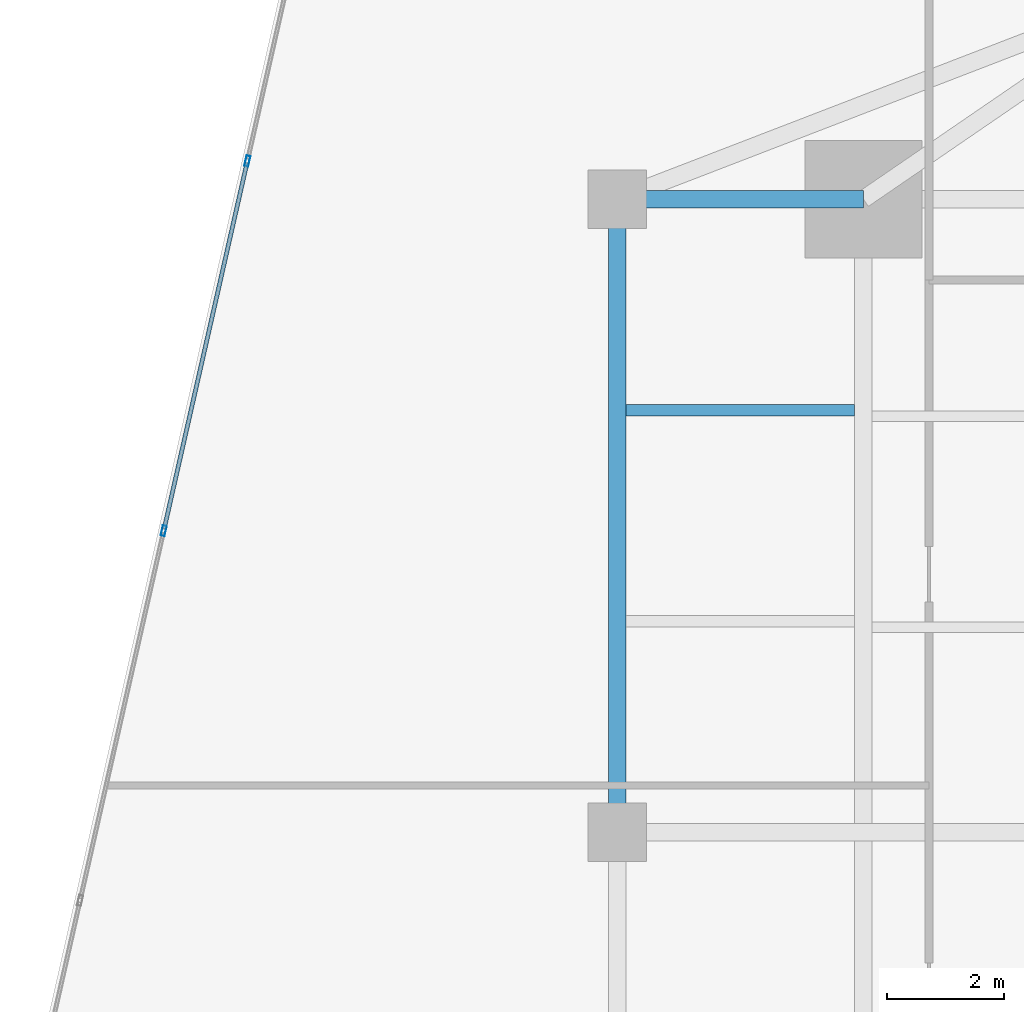
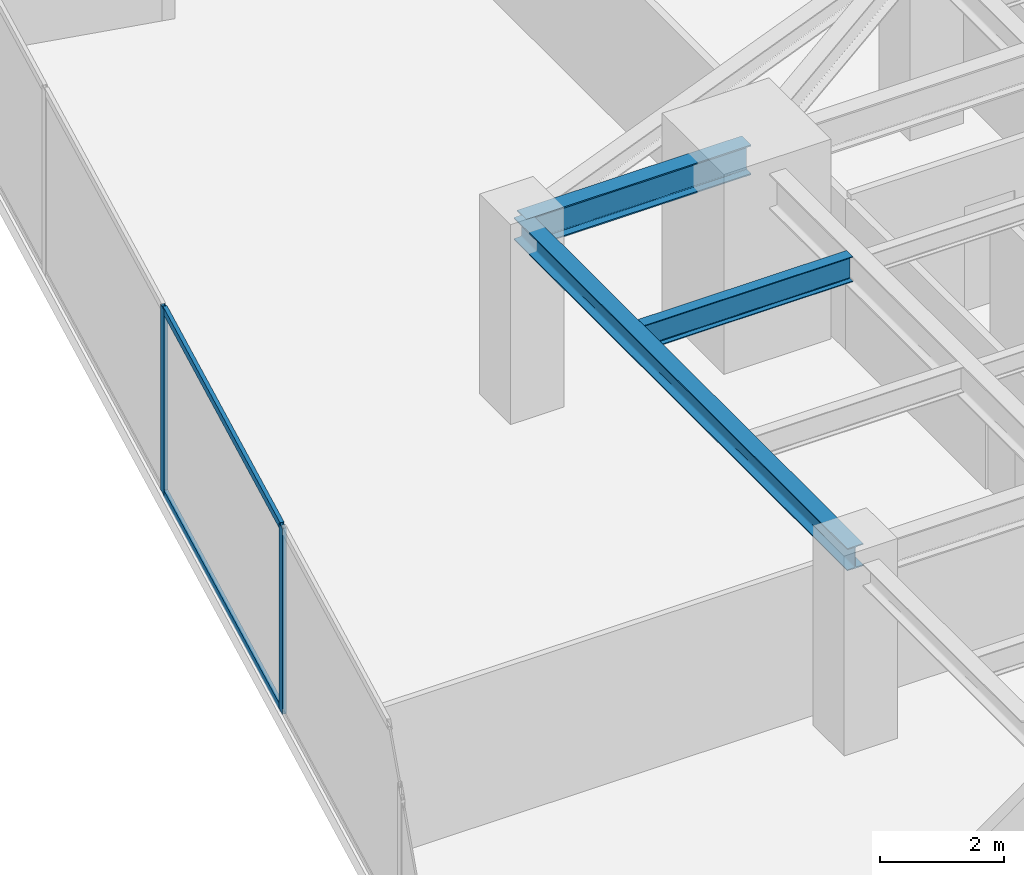
# One storey, part 14 of 26: 4 members, 3 beams, 1 element without a shape of its own.
"""IFC4 building model written with IfcOpenShell, lengths in metres."""

from ifc_helpers import new_model, si_unit, direction, frame, origin, origin_2d, place, context, subcontext, project, spatial, hollow_rectangle, i_section, extrude, source, transform, mapped, material, material_profile, profile_set, type_object, type_shapes, element, aggregate, save


model = new_model("IFC4")

# Units and contexts
model_context = context("Model", 3, precision=1e-05, world=origin(), true_north=direction((0.0, 1.0)))
body_context = subcontext(model_context, "Body", "Model", "MODEL_VIEW")
ifc_project = project(units=[si_unit("LENGTHUNIT", "METRE"), si_unit("AREAUNIT", "SQUARE_METRE"), si_unit("VOLUMEUNIT", "CUBIC_METRE"), si_unit("PLANEANGLEUNIT", "RADIAN"), si_unit("MASSUNIT", "GRAM", prefix="KILO")], contexts=[model_context])

# Site, building, storey
site_placement = place(None, origin())
site = spatial("IfcSite", under=ifc_project, at=site_placement, CompositionType="ELEMENT")
building_placement = place(site_placement, origin())
building = spatial("IfcBuilding", under=site, at=building_placement, Name="Krantzveldt Concourse Tower", CompositionType="ELEMENT")
storey_placement = place(building_placement, frame((0.0, 0.0, 94.0)))
storey = spatial("IfcBuildingStorey", under=building, at=storey_placement, Name="L22", CompositionType="ELEMENT", Elevation=94.0)

# Beams
ifc_material_1 = material(Name="Steel S355JR", Category="steel")
ifc_material_profile_1 = material_profile(ifc_material_1, i_section(OverallWidth=0.300048828125, OverallDepth=0.43994140625, WebThickness=0.011474609375, FlangeThickness=0.02099609375, FilletRadius=0.027099609375, at=origin_2d()), Name="Steel S355JR", Category="steel")
ifc_profile_set_1 = profile_set([ifc_material_profile_1], Name="Steel S355JR - HEA 450")
beam_type_1 = type_object("IfcBeamType", Name="BM-SP-HEA450", PredefinedType="SPANDREL", material=ifc_profile_set_1)
shared_shape_1 = source(origin(), body_context, "Body", "SweptSolid", [
    extrude(i_section(OverallWidth=0.300048828125, OverallDepth=0.43994140625, WebThickness=0.011474609375, FlangeThickness=0.02099609375, FilletRadius=0.027099609375, at=origin_2d()), origin(), (0.0, 0.0, 1.0), 10.800048828125),
])
type_shapes(beam_type_1, [shared_shape_1])
beam_1_placement = place(storey_placement, frame((21.0, 26.699951171875, 3.449951171875), z_axis=(0.0, 1.0, 0.0), x_axis=(-1.0, 0.0, 0.0)))
element("IfcBeam", 1, at=beam_1_placement, inside=storey, type_object=beam_type_1, Name="L22 Tower Girder SP-R02", PredefinedType="SPANDREL", context=body_context, shape_type="MappedRepresentation", body=[
    mapped(shared_shape_1, transform((0.0, 0.0, 0.0), x_axis=(1.0, 0.0, 0.0), y_axis=(0.0, 1.0, 0.0), z_axis=(0.0, 0.0, 1.0), scale=1.0)),
])
ifc_material_profile_2 = material_profile(ifc_material_1, i_section(OverallWidth=0.300048828125, OverallDepth=0.590087890625, WebThickness=0.012939453125, FlangeThickness=0.02490234375, FilletRadius=0.027099609375, at=origin_2d()), Name="Steel S355JR", Category="steel")
ifc_profile_set_2 = profile_set([ifc_material_profile_2], Name="Steel S355JR - HEA 600")
beam_type_2 = type_object("IfcBeamType", Name="BM-B-HEA600", PredefinedType="BEAM", material=ifc_profile_set_2)
shared_shape_2 = source(origin(), body_context, "Body", "SweptSolid", [
    extrude(i_section(OverallWidth=0.300048828125, OverallDepth=0.590087890625, WebThickness=0.012939453125, FlangeThickness=0.02490234375, FilletRadius=0.027099609375, at=origin_2d()), origin(), (0.0, 0.0, 1.0), 4.199951171875),
])
type_shapes(beam_type_2, [shared_shape_2])
beam_2_placement = place(storey_placement, frame((21.0, 37.5, 3.375), z_axis=(1.0, 0.0, 0.0), x_axis=(0.0, 1.0, 0.0)))
element("IfcBeam", 2, at=beam_2_placement, inside=storey, type_object=beam_type_2, Name="L22 Tower Girder BR-RL3", PredefinedType="BEAM", context=body_context, shape_type="MappedRepresentation", body=[
    mapped(shared_shape_2, transform((0.0, 0.0, 0.0), x_axis=(1.0, 0.0, 0.0), y_axis=(0.0, 1.0, 0.0), z_axis=(0.0, 0.0, 1.0), scale=1.0)),
])
ifc_material_profile_3 = material_profile(ifc_material_1, i_section(OverallWidth=0.199951171875, OverallDepth=0.5, WebThickness=0.01025390625, FlangeThickness=0.01611328125, FilletRadius=0.02099609375, at=origin_2d()), Name="Steel S355JR", Category="steel")
ifc_profile_set_3 = profile_set([ifc_material_profile_3], Name="Steel S355JR - IPE 500")
beam_type_3 = type_object("IfcBeamType", Name="BM-J-IPE500", PredefinedType="JOIST", material=ifc_profile_set_3)
shared_shape_3 = source(origin(), body_context, "Body", "SweptSolid", [
    extrude(i_section(OverallWidth=0.199951171875, OverallDepth=0.5, WebThickness=0.01025390625, FlangeThickness=0.01611328125, FilletRadius=0.02099609375, at=origin_2d()), origin(), (0.0, 0.0, 1.0), 3.900146484375),
])
type_shapes(beam_type_3, [shared_shape_3])
beam_3_placement = place(storey_placement, frame((21.14990234375, 33.89990234375, 3.419921875), z_axis=(1.0, 0.0, 0.0), x_axis=(0.0, 1.0, 0.0)))
element("IfcBeam", 3, at=beam_3_placement, inside=storey, type_object=beam_type_3, Name="L22 Secondary Floor Joist JW-4", PredefinedType="JOIST", context=body_context, shape_type="MappedRepresentation", body=[
    mapped(shared_shape_3, transform((0.0, 0.0, 0.0), x_axis=(1.0, 0.0, 0.0), y_axis=(0.0, 1.0, 0.0), z_axis=(0.0, 0.0, 1.0), scale=1.0)),
])

# Curtain wall, members
ifc_material_2 = material(Name="Anodised aluminium 6063-T6", Category="aluminium")
curtain_wall_type = type_object("IfcCurtainWallType", Name="CW2", PredefinedType="USERDEFINED", material=ifc_material_2)
curtain_wall_placement = place(storey_placement, origin())
curtain_wall = element("IfcCurtainWall", 4, at=curtain_wall_placement, inside=storey, type_object=curtain_wall_type, Name="CW-L22-F01", ObjectType="UNITISED CURTAIN WALL", PredefinedType="USERDEFINED")
ifc_material_profile_4 = material_profile(ifc_material_2, hollow_rectangle(XDim=0.070068359375, YDim=0.179931640625, WallThickness=0.0048828125, at=origin_2d()), Name="Anodised aluminium 6063-T6", Category="aluminium")
ifc_profile_set_4 = profile_set([ifc_material_profile_4], Name="Anodised aluminium 6063-T6 - ALU-MULL 180x70x5")
member_type_1 = type_object("IfcMemberType", Name="CW-MUL-180", PredefinedType="MULLION", material=ifc_profile_set_4)
shared_shape_4 = source(origin(), body_context, "Body", "SweptSolid", [
    extrude(hollow_rectangle(XDim=0.070068359375, YDim=0.179931640625, WallThickness=0.0048828125, at=origin_2d()), origin(), (0.0, 0.0, 1.0), 3.669921875),
])
type_shapes(member_type_1, [shared_shape_4])
member_1_placement = place(storey_placement, frame((14.69189453125, 38.151611328125, 0.0), z_axis=(0.0, 0.0, 1.0), x_axis=(0.975342320609, -0.220697434579, 0.0)))
member_1 = element("IfcMember", 5, at=member_1_placement, type_object=member_type_1, Name="CW-Z12 mullion 3", PredefinedType="MULLION", context=body_context, shape_type="MappedRepresentation", body=[
    mapped(shared_shape_4, transform((0.0, 0.0, 0.0), x_axis=(1.0, 0.0, 0.0), y_axis=(0.0, 1.0, 0.0), z_axis=(0.0, 0.0, 1.0), scale=1.0)),
])
member_2_placement = place(storey_placement, frame((13.2646484375, 31.844482421875, 0.0), z_axis=(0.0, 0.0, 1.0), x_axis=(0.975342320609, -0.220697434579, 0.0)))
member_2 = element("IfcMember", 6, at=member_2_placement, type_object=member_type_1, Name="CW-Z12 mullion 4", PredefinedType="MULLION", context=body_context, shape_type="MappedRepresentation", body=[
    mapped(shared_shape_4, transform((0.0, 0.0, 0.0), x_axis=(1.0, 0.0, 0.0), y_axis=(0.0, 1.0, 0.0), z_axis=(0.0, 0.0, 1.0), scale=1.0)),
])
ifc_material_profile_5 = material_profile(ifc_material_2, hollow_rectangle(XDim=0.070068359375, YDim=0.139892578125, WallThickness=0.0048828125, at=origin_2d()), Name="Anodised aluminium 6063-T6", Category="aluminium")
ifc_profile_set_5 = profile_set([ifc_material_profile_5], Name="Anodised aluminium 6063-T6 - ALU-TRAN 140x70x5")
member_type_2 = type_object("IfcMemberType", Name="CW-TRN-150", PredefinedType="USERDEFINED", material=ifc_profile_set_5)
shared_shape_5 = source(origin(), body_context, "Body", "SweptSolid", [
    extrude(hollow_rectangle(XDim=0.070068359375, YDim=0.139892578125, WallThickness=0.0048828125, at=origin_2d()), origin(), (0.0, 0.0, 1.0), 6.396484375),
])
type_shapes(member_type_2, [shared_shape_5])
member_3_placement = place(storey_placement, frame((14.684326171875, 38.117431640625, 0.034912109375), z_axis=(-0.2207235823, -0.975336403615, 0.0), x_axis=(0.975336403615, -0.2207235823, 0.0)))
member_3 = element("IfcMember", 7, at=member_3_placement, type_object=member_type_2, Name="CW-Z12 transom 3.1", ObjectType="TRANSOM", PredefinedType="USERDEFINED", context=body_context, shape_type="MappedRepresentation", body=[
    mapped(shared_shape_5, transform((0.0, 0.0, 0.0), x_axis=(1.0, 0.0, 0.0), y_axis=(0.0, 1.0, 0.0), z_axis=(0.0, 0.0, 1.0), scale=1.0)),
])
member_4_placement = place(storey_placement, frame((14.684326171875, 38.117431640625, 3.635009765625), z_axis=(-0.2207235823, -0.975336403615, 0.0), x_axis=(0.975336403615, -0.2207235823, 0.0)))
member_4 = element("IfcMember", 8, at=member_4_placement, type_object=member_type_2, Name="CW-Z12 transom 3.2", ObjectType="TRANSOM", PredefinedType="USERDEFINED", context=body_context, shape_type="MappedRepresentation", body=[
    mapped(shared_shape_5, transform((0.0, 0.0, 0.0), x_axis=(1.0, 0.0, 0.0), y_axis=(0.0, 1.0, 0.0), z_axis=(0.0, 0.0, 1.0), scale=1.0)),
])
aggregate(curtain_wall, [member_1, member_2, member_3, member_4])

save(model, "model.ifc")
